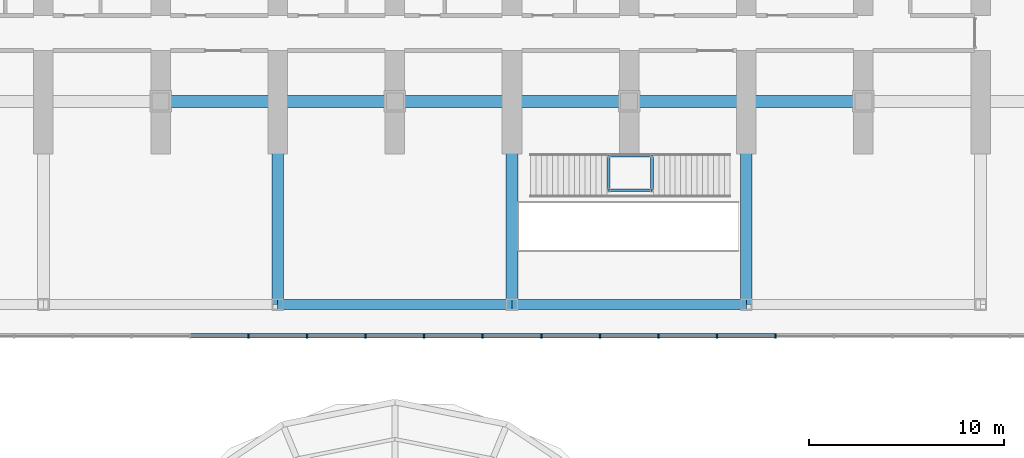
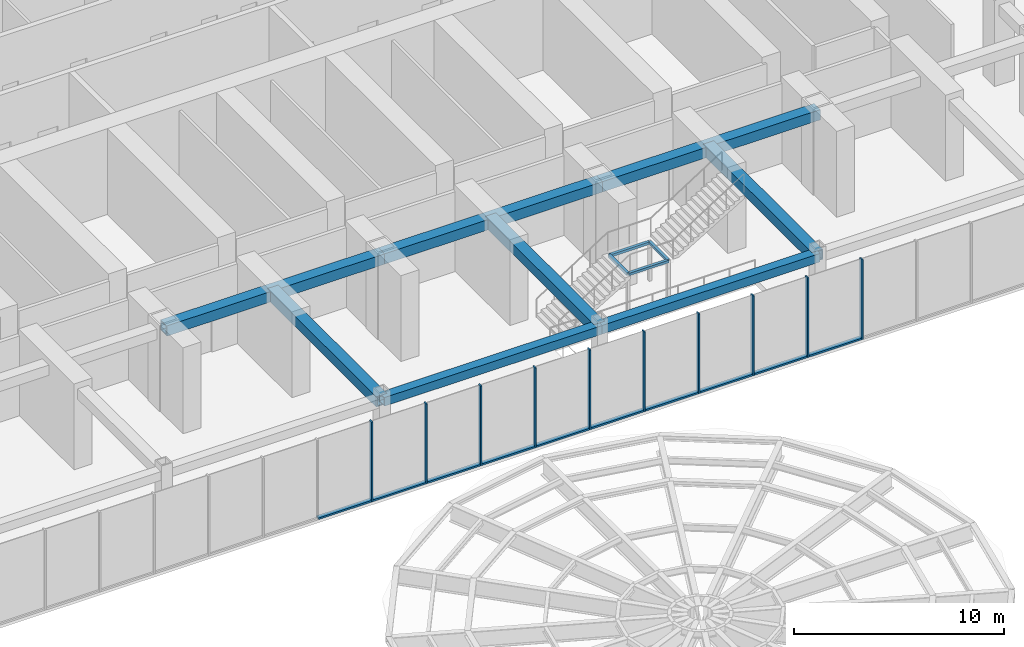
# One storey, part 7 of 37: 20 members, 12 beams, 1 element without a shape of its own.
"""IFC4 building model written with IfcOpenShell, lengths in metres."""

from ifc_helpers import new_model, si_unit, direction, frame, origin, origin_2d, place, context, subcontext, project, spatial, rectangle, hollow_rectangle, extrude, material, material_profile, profile_set, type_object, element, aggregate, save


model = new_model("IFC4")

# Units and contexts
model_context = context("Model", 3, precision=1e-05, world=origin(), true_north=direction((0.0, 1.0)))
body_context = subcontext(model_context, "Body", "Model", "MODEL_VIEW")
ifc_project = project(units=[si_unit("LENGTHUNIT", "METRE"), si_unit("AREAUNIT", "SQUARE_METRE"), si_unit("VOLUMEUNIT", "CUBIC_METRE"), si_unit("PLANEANGLEUNIT", "RADIAN"), si_unit("MASSUNIT", "GRAM", prefix="KILO")], contexts=[model_context])

# Site, building, storey
site_placement = place(None, origin())
site = spatial("IfcSite", under=ifc_project, at=site_placement, CompositionType="ELEMENT")
building_placement = place(site_placement, origin())
building = spatial("IfcBuilding", under=site, at=building_placement, Name="Orbita Commons", CompositionType="ELEMENT")
storey_placement = place(building_placement, frame((0.0, 0.0, 6.0)))
storey = spatial("IfcBuildingStorey", under=building, at=storey_placement, Name="L01", CompositionType="ELEMENT", Elevation=6.0)

# Curtain wall, members
ifc_material_1 = material(Name="Anodised aluminium frame, pale silver", Category="aluminium")
curtain_wall_type = type_object("IfcCurtainWallType", Name="Podium storefront curtain wall CW-P", PredefinedType="NOTDEFINED", material=ifc_material_1)
curtain_wall_placement = place(storey_placement, origin())
curtain_wall = element("IfcCurtainWall", 1, at=curtain_wall_placement, inside=storey, type_object=curtain_wall_type, Name="Curtain wall S 1 L01", PredefinedType="NOTDEFINED")
ifc_material_2 = material(Name="Anodised aluminium, pale silver", Category="aluminium")
ifc_material_profile_1 = material_profile(ifc_material_2, rectangle(XDim=0.080078125, YDim=0.219970703125, at=origin_2d()), Name="AL 80x220")
ifc_profile_set_1 = profile_set([ifc_material_profile_1], Name="Anodised aluminium, pale silver")
member_type_1 = type_object("IfcMemberType", Name="Curtain wall mullion 80x220", PredefinedType="MULLION", material=ifc_profile_set_1)
member_1_placement = place(storey_placement, frame((34.5, -1.610107421875, 0.0), z_axis=(0.0, 0.0, 1.0), x_axis=(1.0, 0.0, 0.0)))
member_1 = element("IfcMember", 2, at=member_1_placement, type_object=member_type_1, Name="Mullion 11 CW-L01-S0", PredefinedType="MULLION", context=body_context, shape_type="SweptSolid", body=[
    extrude(rectangle(XDim=0.080078125, YDim=0.219970703125, at=origin_2d()), origin(), (0.0, 0.0, 1.0), 4.64990234375),
])
member_2_placement = place(storey_placement, frame((37.5, -1.610107421875, 0.0), z_axis=(0.0, 0.0, 1.0), x_axis=(1.0, 0.0, 0.0)))
member_2 = element("IfcMember", 3, at=member_2_placement, type_object=member_type_1, Name="Mullion 12 CW-L01-S0", PredefinedType="MULLION", context=body_context, shape_type="SweptSolid", body=[
    extrude(rectangle(XDim=0.080078125, YDim=0.219970703125, at=origin_2d()), origin(), (0.0, 0.0, 1.0), 4.64990234375),
])
member_3_placement = place(storey_placement, frame((40.5, -1.610107421875, 0.0), z_axis=(0.0, 0.0, 1.0), x_axis=(1.0, 0.0, 0.0)))
member_3 = element("IfcMember", 4, at=member_3_placement, type_object=member_type_1, Name="Mullion 13 CW-L01-S0", PredefinedType="MULLION", context=body_context, shape_type="SweptSolid", body=[
    extrude(rectangle(XDim=0.080078125, YDim=0.219970703125, at=origin_2d()), origin(), (0.0, 0.0, 1.0), 4.64990234375),
])
member_4_placement = place(storey_placement, frame((43.5, -1.610107421875, 0.0), z_axis=(0.0, 0.0, 1.0), x_axis=(1.0, 0.0, 0.0)))
member_4 = element("IfcMember", 5, at=member_4_placement, type_object=member_type_1, Name="Mullion 14 CW-L01-S0", PredefinedType="MULLION", context=body_context, shape_type="SweptSolid", body=[
    extrude(rectangle(XDim=0.080078125, YDim=0.219970703125, at=origin_2d()), origin(), (0.0, 0.0, 1.0), 4.64990234375),
])
member_5_placement = place(storey_placement, frame((46.5, -1.610107421875, 0.0), z_axis=(0.0, 0.0, 1.0), x_axis=(1.0, 0.0, 0.0)))
member_5 = element("IfcMember", 6, at=member_5_placement, type_object=member_type_1, Name="Mullion 15 CW-L01-S0", PredefinedType="MULLION", context=body_context, shape_type="SweptSolid", body=[
    extrude(rectangle(XDim=0.080078125, YDim=0.219970703125, at=origin_2d()), origin(), (0.0, 0.0, 1.0), 4.64990234375),
])
member_6_placement = place(storey_placement, frame((49.5, -1.610107421875, 0.0), z_axis=(0.0, 0.0, 1.0), x_axis=(1.0, 0.0, 0.0)))
member_6 = element("IfcMember", 7, at=member_6_placement, type_object=member_type_1, Name="Mullion 16 CW-L01-S0", PredefinedType="MULLION", context=body_context, shape_type="SweptSolid", body=[
    extrude(rectangle(XDim=0.080078125, YDim=0.219970703125, at=origin_2d()), origin(), (0.0, 0.0, 1.0), 4.64990234375),
])
member_7_placement = place(storey_placement, frame((52.5, -1.610107421875, 0.0), z_axis=(0.0, 0.0, 1.0), x_axis=(1.0, 0.0, 0.0)))
member_7 = element("IfcMember", 8, at=member_7_placement, type_object=member_type_1, Name="Mullion 17 CW-L01-S0", PredefinedType="MULLION", context=body_context, shape_type="SweptSolid", body=[
    extrude(rectangle(XDim=0.080078125, YDim=0.219970703125, at=origin_2d()), origin(), (0.0, 0.0, 1.0), 4.64990234375),
])
member_8_placement = place(storey_placement, frame((55.5, -1.610107421875, 0.0), z_axis=(0.0, 0.0, 1.0), x_axis=(1.0, 0.0, 0.0)))
member_8 = element("IfcMember", 9, at=member_8_placement, type_object=member_type_1, Name="Mullion 18 CW-L01-S0", PredefinedType="MULLION", context=body_context, shape_type="SweptSolid", body=[
    extrude(rectangle(XDim=0.080078125, YDim=0.219970703125, at=origin_2d()), origin(), (0.0, 0.0, 1.0), 4.64990234375),
])
member_9_placement = place(storey_placement, frame((58.5, -1.610107421875, 0.0), z_axis=(0.0, 0.0, 1.0), x_axis=(1.0, 0.0, 0.0)))
member_9 = element("IfcMember", 10, at=member_9_placement, type_object=member_type_1, Name="Mullion 19 CW-L01-S0", PredefinedType="MULLION", context=body_context, shape_type="SweptSolid", body=[
    extrude(rectangle(XDim=0.080078125, YDim=0.219970703125, at=origin_2d()), origin(), (0.0, 0.0, 1.0), 4.64990234375),
])
member_10_placement = place(storey_placement, frame((61.5, -1.610107421875, 0.0), z_axis=(0.0, 0.0, 1.0), x_axis=(1.0, 0.0, 0.0)))
member_10 = element("IfcMember", 11, at=member_10_placement, type_object=member_type_1, Name="Mullion 20 CW-L01-S0", PredefinedType="MULLION", context=body_context, shape_type="SweptSolid", body=[
    extrude(rectangle(XDim=0.080078125, YDim=0.219970703125, at=origin_2d()), origin(), (0.0, 0.0, 1.0), 4.64990234375),
])
ifc_material_3 = material(Name="Anodised aluminium, pale silver", Category="aluminium")
ifc_material_profile_2 = material_profile(ifc_material_3, rectangle(XDim=0.219970703125, YDim=0.10009765625, at=origin_2d()), Name="AL 220x100")
ifc_profile_set_2 = profile_set([ifc_material_profile_2], Name="Anodised aluminium, pale silver")
member_type_2 = type_object("IfcMemberType", Name="Curtain wall stack transom 220x100", PredefinedType="USERDEFINED", material=ifc_profile_set_2)
member_11_placement = place(storey_placement, frame((31.5400390625, -1.610107421875, 0.050048828125), z_axis=(1.0, 0.0, 0.0), x_axis=(0.0, 1.0, 0.0)))
member_11 = element("IfcMember", 12, at=member_11_placement, type_object=member_type_2, Name="Transom 10.1 CW-L01-S0", ObjectType="TRANSOM", PredefinedType="USERDEFINED", context=body_context, shape_type="SweptSolid", body=[
    extrude(rectangle(XDim=0.219970703125, YDim=0.10009765625, at=origin_2d()), origin(), (0.0, 0.0, 1.0), 2.919921875),
])
member_12_placement = place(storey_placement, frame((34.5400390625, -1.610107421875, 0.050048828125), z_axis=(1.0, 0.0, 0.0), x_axis=(0.0, 1.0, 0.0)))
member_12 = element("IfcMember", 13, at=member_12_placement, type_object=member_type_2, Name="Transom 11.1 CW-L01-S0", ObjectType="TRANSOM", PredefinedType="USERDEFINED", context=body_context, shape_type="SweptSolid", body=[
    extrude(rectangle(XDim=0.219970703125, YDim=0.10009765625, at=origin_2d()), origin(), (0.0, 0.0, 1.0), 2.919921875),
])
member_13_placement = place(storey_placement, frame((37.5400390625, -1.610107421875, 0.050048828125), z_axis=(1.0, 0.0, 0.0), x_axis=(0.0, 1.0, 0.0)))
member_13 = element("IfcMember", 14, at=member_13_placement, type_object=member_type_2, Name="Transom 12.1 CW-L01-S0", ObjectType="TRANSOM", PredefinedType="USERDEFINED", context=body_context, shape_type="SweptSolid", body=[
    extrude(rectangle(XDim=0.219970703125, YDim=0.10009765625, at=origin_2d()), origin(), (0.0, 0.0, 1.0), 2.919921875),
])
member_14_placement = place(storey_placement, frame((40.5400390625, -1.610107421875, 0.050048828125), z_axis=(1.0, 0.0, 0.0), x_axis=(0.0, 1.0, 0.0)))
member_14 = element("IfcMember", 15, at=member_14_placement, type_object=member_type_2, Name="Transom 13.1 CW-L01-S0", ObjectType="TRANSOM", PredefinedType="USERDEFINED", context=body_context, shape_type="SweptSolid", body=[
    extrude(rectangle(XDim=0.219970703125, YDim=0.10009765625, at=origin_2d()), origin(), (0.0, 0.0, 1.0), 2.919921875),
])
member_15_placement = place(storey_placement, frame((43.5400390625, -1.610107421875, 0.050048828125), z_axis=(1.0, 0.0, 0.0), x_axis=(0.0, 1.0, 0.0)))
member_15 = element("IfcMember", 16, at=member_15_placement, type_object=member_type_2, Name="Transom 14.1 CW-L01-S0", ObjectType="TRANSOM", PredefinedType="USERDEFINED", context=body_context, shape_type="SweptSolid", body=[
    extrude(rectangle(XDim=0.219970703125, YDim=0.10009765625, at=origin_2d()), origin(), (0.0, 0.0, 1.0), 2.919921875),
])
member_16_placement = place(storey_placement, frame((46.5400390625, -1.610107421875, 0.050048828125), z_axis=(1.0, 0.0, 0.0), x_axis=(0.0, 1.0, 0.0)))
member_16 = element("IfcMember", 17, at=member_16_placement, type_object=member_type_2, Name="Transom 15.1 CW-L01-S0", ObjectType="TRANSOM", PredefinedType="USERDEFINED", context=body_context, shape_type="SweptSolid", body=[
    extrude(rectangle(XDim=0.219970703125, YDim=0.10009765625, at=origin_2d()), origin(), (0.0, 0.0, 1.0), 2.919921875),
])
member_17_placement = place(storey_placement, frame((49.5400390625, -1.610107421875, 0.050048828125), z_axis=(1.0, 0.0, 0.0), x_axis=(0.0, 1.0, 0.0)))
member_17 = element("IfcMember", 18, at=member_17_placement, type_object=member_type_2, Name="Transom 16.1 CW-L01-S0", ObjectType="TRANSOM", PredefinedType="USERDEFINED", context=body_context, shape_type="SweptSolid", body=[
    extrude(rectangle(XDim=0.219970703125, YDim=0.10009765625, at=origin_2d()), origin(), (0.0, 0.0, 1.0), 2.919921875),
])
member_18_placement = place(storey_placement, frame((52.5400390625, -1.610107421875, 0.050048828125), z_axis=(1.0, 0.0, 0.0), x_axis=(0.0, 1.0, 0.0)))
member_18 = element("IfcMember", 19, at=member_18_placement, type_object=member_type_2, Name="Transom 17.1 CW-L01-S0", ObjectType="TRANSOM", PredefinedType="USERDEFINED", context=body_context, shape_type="SweptSolid", body=[
    extrude(rectangle(XDim=0.219970703125, YDim=0.10009765625, at=origin_2d()), origin(), (0.0, 0.0, 1.0), 2.919921875),
])
member_19_placement = place(storey_placement, frame((55.5400390625, -1.610107421875, 0.050048828125), z_axis=(1.0, 0.0, 0.0), x_axis=(0.0, 1.0, 0.0)))
member_19 = element("IfcMember", 20, at=member_19_placement, type_object=member_type_2, Name="Transom 18.1 CW-L01-S0", ObjectType="TRANSOM", PredefinedType="USERDEFINED", context=body_context, shape_type="SweptSolid", body=[
    extrude(rectangle(XDim=0.219970703125, YDim=0.10009765625, at=origin_2d()), origin(), (0.0, 0.0, 1.0), 2.919921875),
])
member_20_placement = place(storey_placement, frame((58.5400390625, -1.610107421875, 0.050048828125), z_axis=(1.0, 0.0, 0.0), x_axis=(0.0, 1.0, 0.0)))
member_20 = element("IfcMember", 21, at=member_20_placement, type_object=member_type_2, Name="Transom 19.1 CW-L01-S0", ObjectType="TRANSOM", PredefinedType="USERDEFINED", context=body_context, shape_type="SweptSolid", body=[
    extrude(rectangle(XDim=0.219970703125, YDim=0.10009765625, at=origin_2d()), origin(), (0.0, 0.0, 1.0), 2.919921875),
])
aggregate(curtain_wall, [member_1, member_2, member_3, member_4, member_5, member_6, member_7, member_8, member_9, member_10, member_11, member_12, member_13, member_14, member_15, member_16, member_17, member_18, member_19, member_20])

# Beams
ifc_material_4 = material(Name="Steel ASTM A992", Category="steel")
ifc_material_profile_3 = material_profile(ifc_material_4, hollow_rectangle(XDim=0.14990234375, YDim=0.14990234375, WallThickness=0.008056640625, at=origin_2d()), Name="SHS 150x150x8")
ifc_profile_set_3 = profile_set([ifc_material_profile_3], Name="Steel ASTM A992")
beam_type_1 = type_object("IfcBeamType", Name="Landing frame beam SHS 150x150x8", PredefinedType="BEAM", material=ifc_profile_set_3)
for number, where, z_axis, x_axis, name in (
    (22, (52.945068359375, 5.85009765625, 2.22509765625), (0.0, 1.0, 0.0), (-1.0, 0.0, 0.0), "Grand stair L01 to L02 landing frame beam 1"),
    (23, (55.1650390625, 5.85009765625, 2.22509765625), (0.0, 1.0, 0.0), (-1.0, 0.0, 0.0), "Grand stair L01 to L02 landing frame beam 2"),
):
    element("IfcBeam", number, at=place(storey_placement, frame(where, z_axis=z_axis, x_axis=x_axis)), inside=storey, type_object=beam_type_1, Name=name, PredefinedType="BEAM", context=body_context, shape_type="SweptSolid", body=[
        extrude(hollow_rectangle(XDim=0.14990234375, YDim=0.14990234375, WallThickness=0.008056640625, at=origin_2d()), origin(), (0.0, 0.0, 1.0), 1.77490234375),
    ])
for number, where, z_axis, x_axis, name in (
    (24, (52.945068359375, 5.85009765625, 2.22509765625), (1.0, 0.0, 0.0), (0.0, 1.0, 0.0), "Grand stair L01 to L02 landing frame beam 3"),
    (25, (52.945068359375, 7.625, 2.22509765625), (1.0, 0.0, 0.0), (0.0, 1.0, 0.0), "Grand stair L01 to L02 landing frame beam 4"),
):
    element("IfcBeam", number, at=place(storey_placement, frame(where, z_axis=z_axis, x_axis=x_axis)), inside=storey, type_object=beam_type_1, Name=name, PredefinedType="BEAM", context=body_context, shape_type="SweptSolid", body=[
        extrude(hollow_rectangle(XDim=0.14990234375, YDim=0.14990234375, WallThickness=0.008056640625, at=origin_2d()), origin(), (0.0, 0.0, 1.0), 2.219970703125),
    ])
ifc_material_5 = material(Name="Steel ASTM A572 Gr 50 welded plate", Category="steel")
ifc_material_profile_4 = material_profile(ifc_material_5, hollow_rectangle(XDim=0.5, YDim=0.5, WallThickness=0.050048828125, at=origin_2d()), Name="BOX 500x500x50")
ifc_profile_set_4 = profile_set([ifc_material_profile_4], Name="Steel ASTM A572 Gr 50 welded plate")
beam_type_2 = type_object("IfcBeamType", Name="Steel edge beam BOX 500x500x50", PredefinedType="SPANDREL", material=ifc_profile_set_4)
for number, where, z_axis, x_axis, name in (
    (26, (36.0, 0.0, 4.39990234375), (1.0, 0.0, 0.0), (0.0, 1.0, 0.0), "Edge beam A 7-9 L01"),
    (27, (48.0, 0.0, 4.39990234375), (1.0, 0.0, 0.0), (0.0, 1.0, 0.0), "Edge beam A 9-11 L01"),
):
    element("IfcBeam", number, at=place(storey_placement, frame(where, z_axis=z_axis, x_axis=x_axis)), inside=storey, type_object=beam_type_2, Name=name, PredefinedType="SPANDREL", context=body_context, shape_type="SweptSolid", body=[
        extrude(hollow_rectangle(XDim=0.5, YDim=0.5, WallThickness=0.050048828125, at=origin_2d()), origin(), (0.0, 0.0, 1.0), 12.0),
    ])
ifc_material_6 = material(Name="Steel ASTM A572 Gr 50 welded plate", Category="steel")
ifc_material_profile_5 = material_profile(ifc_material_6, hollow_rectangle(XDim=0.60009765625, YDim=0.60009765625, WallThickness=0.06005859375, at=origin_2d()), Name="BOX 600x600x60")
ifc_profile_set_5 = profile_set([ifc_material_profile_5], Name="Steel ASTM A572 Gr 50 welded plate")
beam_type_3 = type_object("IfcBeamType", Name="Steel podium beam BOX 600x600x60", PredefinedType="BEAM", material=ifc_profile_set_5)
for number, where, z_axis, x_axis, name in (
    (28, (30.0, 10.39990234375, 4.35009765625), (1.0, 0.0, 0.0), (0.0, 1.0, 0.0), "Podium beam B 6-8 L01"),
    (29, (42.0, 10.39990234375, 4.35009765625), (1.0, 0.0, 0.0), (0.0, 1.0, 0.0), "Podium beam B 8-10 L01"),
    (30, (54.0, 10.39990234375, 4.35009765625), (1.0, 0.0, 0.0), (0.0, 1.0, 0.0), "Podium beam B 10-12 L01"),
):
    element("IfcBeam", number, at=place(storey_placement, frame(where, z_axis=z_axis, x_axis=x_axis)), inside=storey, type_object=beam_type_3, Name=name, PredefinedType="BEAM", context=body_context, shape_type="SweptSolid", body=[
        extrude(hollow_rectangle(XDim=0.60009765625, YDim=0.60009765625, WallThickness=0.06005859375, at=origin_2d()), origin(), (0.0, 0.0, 1.0), 12.0),
    ])
for number, where, z_axis, x_axis, name in (
    (31, (36.0, 0.0, 4.35009765625), (0.0, 1.0, 0.0), (-1.0, 0.0, 0.0), "Podium beam 7 A-B L01"),
    (32, (48.0, 0.0, 4.35009765625), (0.0, 1.0, 0.0), (-1.0, 0.0, 0.0), "Podium beam 9 A-B L01"),
    (33, (60.0, 0.0, 4.35009765625), (0.0, 1.0, 0.0), (-1.0, 0.0, 0.0), "Podium beam 11 A-B L01"),
):
    element("IfcBeam", number, at=place(storey_placement, frame(where, z_axis=z_axis, x_axis=x_axis)), inside=storey, type_object=beam_type_3, Name=name, PredefinedType="BEAM", context=body_context, shape_type="SweptSolid", body=[
        extrude(hollow_rectangle(XDim=0.60009765625, YDim=0.60009765625, WallThickness=0.06005859375, at=origin_2d()), origin(), (0.0, 0.0, 1.0), 10.39990234375),
    ])

save(model, "model.ifc")
